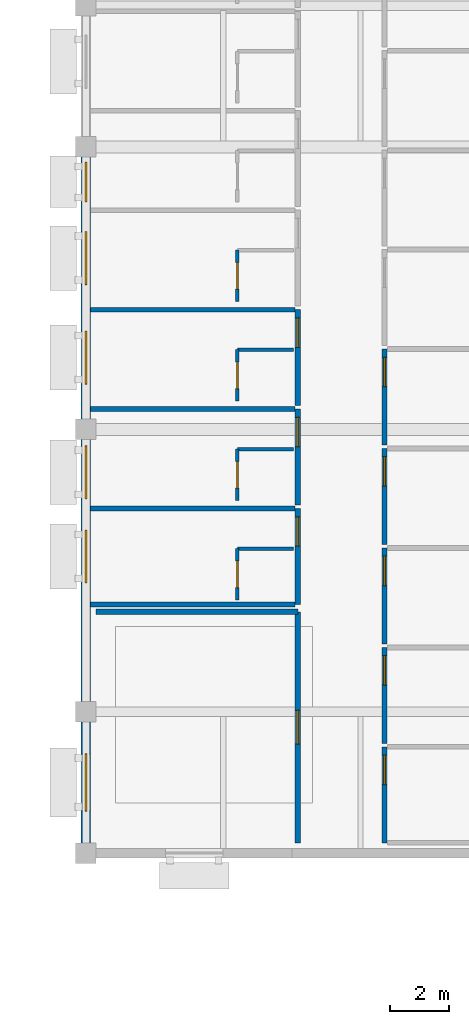
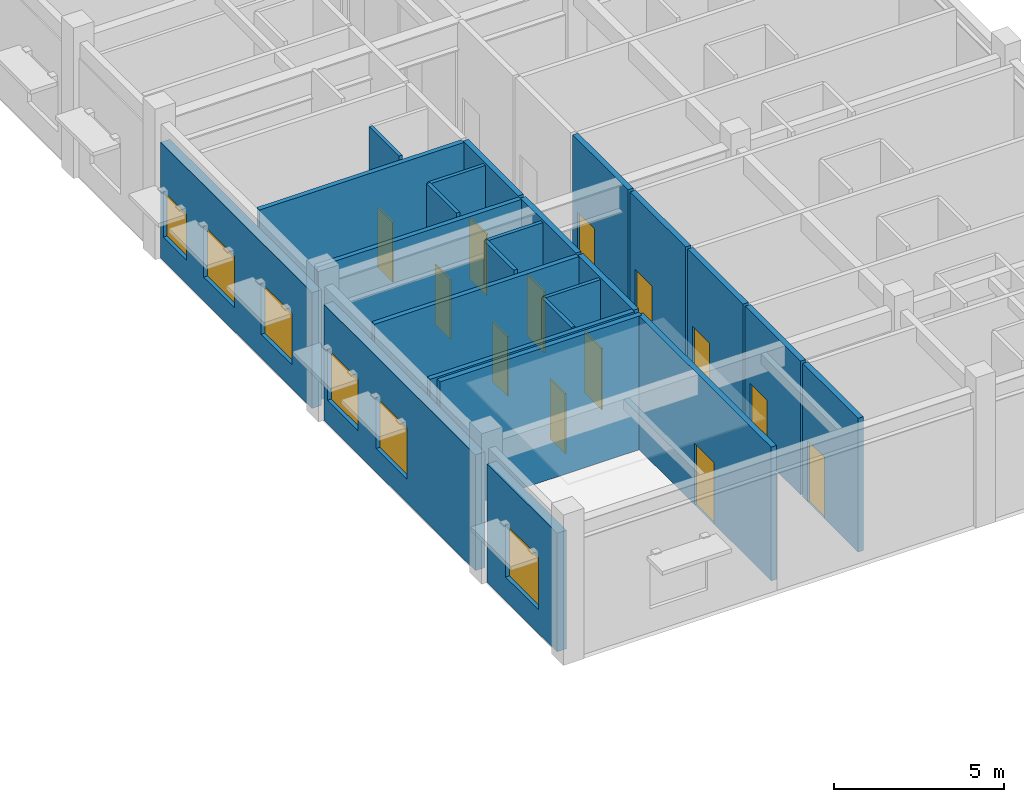
# One storey, part 47 of 68: 24 walls, 13 doors, 6 windows, 19 openings.
"""IFC4 building model written with IfcOpenShell, lengths in metres."""

from ifc_helpers import new_model, si_unit, direction, frame, frame_2d, origin, place, context, subcontext, project, spatial, rectangle, extrude, material, layer, layer_set, type_object, element, fill, save


model = new_model("IFC4")

# Units and contexts
model_context = context("Model", 3, precision=1e-05, world=origin(), true_north=direction((0.0, 1.0)))
body_context = subcontext(model_context, "Body", "Model", "MODEL_VIEW")
ifc_project = project(units=[si_unit("LENGTHUNIT", "METRE"), si_unit("AREAUNIT", "SQUARE_METRE"), si_unit("VOLUMEUNIT", "CUBIC_METRE"), si_unit("PLANEANGLEUNIT", "RADIAN"), si_unit("MASSUNIT", "GRAM", prefix="KILO")], contexts=[model_context])

# Site, building, storey
site_placement = place(None, origin())
site = spatial("IfcSite", under=ifc_project, at=site_placement, CompositionType="ELEMENT")
building_placement = place(site_placement, origin())
building = spatial("IfcBuilding", under=site, at=building_placement, Name="Veldera Park Congress Hotel", CompositionType="ELEMENT")
storey_placement = place(building_placement, frame((0.0, 0.0, 10.800048828125)))
storey = spatial("IfcBuildingStorey", under=building, at=storey_placement, Name="L02", CompositionType="ELEMENT", Elevation=10.800048828125)

# Wall, openings, windows
ifc_material_1 = material(Name="Cross-laminated timber CLT V2M1.1", Category="wood")
ifc_layer_1 = layer(ifc_material_1, 0.320068359375)
ifc_layer_set_1 = layer_set([ifc_layer_1], Name="Cross-laminated timber CLT V2M1.1")
wall_type_1 = type_object("IfcWallType", Name="EW-CLT320", PredefinedType="STANDARD", material=ifc_layer_set_1)
wall_1_placement = place(storey_placement, frame((60.800048828125, -28.548095703125, 0.0), z_axis=(0.0, 0.0, 1.0), x_axis=(0.0, -1.0, 0.0)))
wall_1 = element("IfcWall", 1, at=wall_1_placement, inside=storey, type_object=wall_type_1, Name="L02 Exterior Wall EW3-L02-0205", PredefinedType="STANDARD", context=body_context, shape_type="SweptSolid", body=[
    extrude(rectangle(XDim=8.90380859375, YDim=0.320068359375, at=frame_2d((4.451904296875, 0.0))), origin(), (0.0, 0.0, 1.0), 4.155029296875),
])
opening_1_placement = place(wall_1_placement, frame((5.912109375, 0.0, 0.85009765625)))
opening_1 = element("IfcOpeningElement", 2, at=opening_1_placement, cuts=wall_1, Name="Opening WIN-1800", PredefinedType="OPENING", context=body_context, shape_type="SweptSolid", body=[
    extrude(rectangle(XDim=1.800048828125, YDim=1.85009765625, at=frame_2d((0.89990234375, 0.925048828125))), frame((0.0, 0.172119140625, 0.0), z_axis=(0.0, -1.0, 0.0), x_axis=(1.0, 0.0, 0.0)), (0.0, 0.0, 1.0), 0.343994140625),
])
opening_2_placement = place(wall_1_placement, frame((2.531982421875, 0.0, 0.85009765625)))
opening_2 = element("IfcOpeningElement", 3, at=opening_2_placement, cuts=wall_1, Name="Opening WIN-1800", PredefinedType="OPENING", context=body_context, shape_type="SweptSolid", body=[
    extrude(rectangle(XDim=1.800048828125, YDim=1.85009765625, at=frame_2d((0.89990234375, 0.925048828125))), frame((0.0, 0.172119140625, 0.0), z_axis=(0.0, -1.0, 0.0), x_axis=(1.0, 0.0, 0.0)), (0.0, 0.0, 1.0), 0.343994140625),
])
opening_3_placement = place(wall_1_placement, frame((0.166015625, 0.0, 0.85009765625)))
opening_3 = element("IfcOpeningElement", 4, at=opening_3_placement, cuts=wall_1, Name="Opening WIN-1350", PredefinedType="OPENING", context=body_context, shape_type="SweptSolid", body=[
    extrude(rectangle(XDim=1.35009765625, YDim=1.64990234375, at=frame_2d((0.675048828125, 0.824951171875))), frame((0.0, 0.172119140625, 0.0), z_axis=(0.0, -1.0, 0.0), x_axis=(1.0, 0.0, 0.0)), (0.0, 0.0, 1.0), 0.343994140625),
])
ifc_material_2 = material(Name="Low-E Triple Insulating Glass Unit (SHGC 0.22)", Category="glass")
window_type_1 = type_object("IfcWindowType", Name="WIN-1350", PartitioningType="SINGLE_PANEL", PredefinedType="WINDOW", material=ifc_material_2)
window_1_placement = place(opening_3_placement, origin())
window_1 = element("IfcWindow", 5, at=window_1_placement, inside=storey, type_object=window_type_1, Name="L02 Window WIN-1350 361", OverallHeight=1.64990234375, OverallWidth=1.35009765625, PartitioningType="SINGLE_PANEL", PredefinedType="WINDOW", context=body_context, shape_type="SweptSolid", body=[
    extrude(rectangle(XDim=1.35009765625, YDim=1.64990234375, at=frame_2d((0.675048828125, 0.824951171875))), frame((0.0, 0.030029296875, 0.0), z_axis=(0.0, -1.0, 0.0), x_axis=(1.0, 0.0, 0.0)), (0.0, 0.0, 1.0), 0.06005859375),
])
fill(opening_3, window_1)
window_type_2 = type_object("IfcWindowType", Name="WIN-1800", PartitioningType="SINGLE_PANEL", PredefinedType="WINDOW", material=ifc_material_2)
window_2_placement = place(opening_1_placement, origin())
window_2 = element("IfcWindow", 6, at=window_2_placement, inside=storey, type_object=window_type_2, Name="L02 Window WIN-1800 359", OverallHeight=1.85009765625, OverallWidth=1.800048828125, PartitioningType="SINGLE_PANEL", PredefinedType="WINDOW", context=body_context, shape_type="SweptSolid", body=[
    extrude(rectangle(XDim=1.800048828125, YDim=1.85009765625, at=frame_2d((0.89990234375, 0.925048828125))), frame((0.0, 0.030029296875, 0.0), z_axis=(0.0, -1.0, 0.0), x_axis=(1.0, 0.0, 0.0)), (0.0, 0.0, 1.0), 0.06005859375),
])
fill(opening_1, window_2)
window_3_placement = place(opening_2_placement, origin())
window_3 = element("IfcWindow", 7, at=window_3_placement, inside=storey, type_object=window_type_2, Name="L02 Window WIN-1800 360", OverallHeight=1.85009765625, OverallWidth=1.800048828125, PartitioningType="SINGLE_PANEL", PredefinedType="WINDOW", context=body_context, shape_type="SweptSolid", body=[
    extrude(rectangle(XDim=1.800048828125, YDim=1.85009765625, at=frame_2d((0.89990234375, 0.925048828125))), frame((0.0, 0.030029296875, 0.0), z_axis=(0.0, -1.0, 0.0), x_axis=(1.0, 0.0, 0.0)), (0.0, 0.0, 1.0), 0.06005859375),
])
fill(opening_2, window_3)

wall_2_placement = place(storey_placement, frame((60.800048828125, -38.14794921875, 0.0), z_axis=(0.0, 0.0, 1.0), x_axis=(0.0, -1.0, 0.0)))
wall_2 = element("IfcWall", 8, at=wall_2_placement, inside=storey, type_object=wall_type_1, Name="L02 Exterior Wall EW3-L02-0206", PredefinedType="STANDARD", context=body_context, shape_type="SweptSolid", body=[
    extrude(rectangle(XDim=8.904052734375, YDim=0.320068359375, at=frame_2d((4.4521484375, 0.0))), origin(), (0.0, 0.0, 1.0), 4.155029296875),
])
opening_4_placement = place(wall_2_placement, frame((3.072021484375, 0.0, 0.85009765625)))
opening_4 = element("IfcOpeningElement", 9, at=opening_4_placement, cuts=wall_2, Name="Opening WIN-1800", PredefinedType="OPENING", context=body_context, shape_type="SweptSolid", body=[
    extrude(rectangle(XDim=1.800048828125, YDim=1.85009765625, at=frame_2d((0.89990234375, 0.925048828125))), frame((0.0, 0.172119140625, 0.0), z_axis=(0.0, -1.0, 0.0), x_axis=(1.0, 0.0, 0.0)), (0.0, 0.0, 1.0), 0.343994140625),
])
opening_5_placement = place(wall_2_placement, frame((0.2109375, 0.0, 0.85009765625)))
opening_5 = element("IfcOpeningElement", 10, at=opening_5_placement, cuts=wall_2, Name="Opening WIN-1800", PredefinedType="OPENING", context=body_context, shape_type="SweptSolid", body=[
    extrude(rectangle(XDim=1.800048828125, YDim=1.85009765625, at=frame_2d((0.89990234375, 0.925048828125))), frame((0.0, 0.172119140625, 0.0), z_axis=(0.0, -1.0, 0.0), x_axis=(1.0, 0.0, 0.0)), (0.0, 0.0, 1.0), 0.343994140625),
])
window_4_placement = place(opening_4_placement, origin())
window_4 = element("IfcWindow", 11, at=window_4_placement, inside=storey, type_object=window_type_2, Name="L02 Window WIN-1800 357", OverallHeight=1.85009765625, OverallWidth=1.800048828125, PartitioningType="SINGLE_PANEL", PredefinedType="WINDOW", context=body_context, shape_type="SweptSolid", body=[
    extrude(rectangle(XDim=1.800048828125, YDim=1.85009765625, at=frame_2d((0.89990234375, 0.925048828125))), frame((0.0, 0.030029296875, 0.0), z_axis=(0.0, -1.0, 0.0), x_axis=(1.0, 0.0, 0.0)), (0.0, 0.0, 1.0), 0.06005859375),
])
fill(opening_4, window_4)
window_5_placement = place(opening_5_placement, origin())
window_5 = element("IfcWindow", 12, at=window_5_placement, inside=storey, type_object=window_type_2, Name="L02 Window WIN-1800 358", OverallHeight=1.85009765625, OverallWidth=1.800048828125, PartitioningType="SINGLE_PANEL", PredefinedType="WINDOW", context=body_context, shape_type="SweptSolid", body=[
    extrude(rectangle(XDim=1.800048828125, YDim=1.85009765625, at=frame_2d((0.89990234375, 0.925048828125))), frame((0.0, 0.030029296875, 0.0), z_axis=(0.0, -1.0, 0.0), x_axis=(1.0, 0.0, 0.0)), (0.0, 0.0, 1.0), 0.06005859375),
])
fill(opening_5, window_5)

# Wall, opening, window
wall_3_placement = place(storey_placement, frame((60.800048828125, -47.748046875, 0.0), z_axis=(0.0, 0.0, 1.0), x_axis=(0.0, -1.0, 0.0)))
wall_3 = element("IfcWall", 13, at=wall_3_placement, inside=storey, type_object=wall_type_1, Name="L02 Exterior Wall EW3-L02-0207", PredefinedType="STANDARD", context=body_context, shape_type="SweptSolid", body=[
    extrude(rectangle(XDim=4.10400390625, YDim=0.320068359375, at=frame_2d((2.052001953125, 0.0))), origin(), (0.0, 0.0, 1.0), 4.2548828125),
])
opening_6_placement = place(wall_3_placement, frame((1.076904296875, 0.0, 0.85009765625)))
opening_6 = element("IfcOpeningElement", 14, at=opening_6_placement, cuts=wall_3, Name="Opening WIN-1950", PredefinedType="OPENING", context=body_context, shape_type="SweptSolid", body=[
    extrude(rectangle(XDim=1.949951171875, YDim=1.89990234375, at=frame_2d((0.97509765625, 0.949951171875))), frame((0.0, 0.172119140625, 0.0), z_axis=(0.0, -1.0, 0.0), x_axis=(1.0, 0.0, 0.0)), (0.0, 0.0, 1.0), 0.343994140625),
])
window_type_3 = type_object("IfcWindowType", Name="WIN-1950", PartitioningType="DOUBLE_PANEL_VERTICAL", PredefinedType="WINDOW", material=ifc_material_2)
window_6_placement = place(opening_6_placement, origin())
window_6 = element("IfcWindow", 15, at=window_6_placement, inside=storey, type_object=window_type_3, Name="L02 Window WIN-1950 186", OverallHeight=1.89990234375, OverallWidth=1.949951171875, PartitioningType="DOUBLE_PANEL_VERTICAL", PredefinedType="WINDOW", context=body_context, shape_type="SweptSolid", body=[
    extrude(rectangle(XDim=1.949951171875, YDim=1.89990234375, at=frame_2d((0.97509765625, 0.949951171875))), frame((0.0, 0.030029296875, 0.0), z_axis=(0.0, -1.0, 0.0), x_axis=(1.0, 0.0, 0.0)), (0.0, 0.0, 1.0), 0.06005859375),
])
fill(opening_6, window_6)

# Wall, opening, door
ifc_material_3 = material(Name="Fire-Rated Gypsum Board on Cold-Formed Steel Studs", Category="steel")
ifc_layer_2 = layer(ifc_material_3, 0.1201171875)
ifc_layer_set_2 = layer_set([ifc_layer_2], Name="Fire-Rated Gypsum Board on Cold-Formed Steel Studs")
wall_type_2 = type_object("IfcWallType", Name="IW-BATH120", PredefinedType="PARTITIONING", material=ifc_layer_set_2)
wall_4_placement = place(storey_placement, frame((65.949951171875, -43.60009765625, 0.0), z_axis=(0.0, 0.0, 1.0), x_axis=(0.0, 1.0, 0.0)))
wall_4 = element("IfcWall", 16, at=wall_4_placement, inside=storey, type_object=wall_type_2, Name="L02 Partition Wall IW3-L02-00366", PredefinedType="PARTITIONING", context=body_context, shape_type="SweptSolid", body=[
    extrude(rectangle(XDim=1.75, YDim=0.1201171875, at=frame_2d((0.875, 0.0))), origin(), (0.0, 0.0, 1.0), 4.800048828125),
])
opening_7_placement = place(wall_4_placement, frame((0.425048828125, 0.0, 0.0)))
opening_7 = element("IfcOpeningElement", 17, at=opening_7_placement, cuts=wall_4, Name="Opening ID-BATH090", PredefinedType="OPENING", context=body_context, shape_type="SweptSolid", body=[
    extrude(rectangle(XDim=0.89990234375, YDim=2.14990234375, at=frame_2d((0.449951171875, 1.074951171875))), frame((0.0, 0.072021484375, 0.0), z_axis=(0.0, -1.0, 0.0), x_axis=(1.0, 0.0, 0.0)), (0.0, 0.0, 1.0), 0.14404296875),
])
ifc_material_4 = material(Name="Solid Core White Oak Architectural Door", Category="wood")
door_type_1 = type_object("IfcDoorType", Name="ID-BATH090", OperationType="NOTDEFINED", PredefinedType="DOOR", material=ifc_material_4)
door_1_placement = place(opening_7_placement, origin())
door_1 = element("IfcDoor", 18, at=door_1_placement, inside=storey, type_object=door_type_1, Name="L02 En-suite 001 Door ID3-L02-0141 (DR3-ID3-L02-0141)", OperationType="SINGLE_SWING_LEFT", OverallHeight=2.14990234375, OverallWidth=0.89990234375, PredefinedType="DOOR", context=body_context, shape_type="SweptSolid", body=[
    extrude(rectangle(XDim=0.89990234375, YDim=2.14990234375, at=frame_2d((0.449951171875, 1.074951171875))), frame((0.0, 0.02490234375, 0.0), z_axis=(0.0, -1.0, 0.0), x_axis=(1.0, 0.0, 0.0)), (0.0, 0.0, 1.0), 0.050048828125),
])
fill(opening_7, door_1)

# Wall
wall_5_placement = place(storey_placement, frame((65.949951171875, -41.85009765625, 0.0), z_axis=(0.0, 0.0, 1.0), x_axis=(1.0, 0.0, 0.0)))
element("IfcWall", 19, at=wall_5_placement, inside=storey, type_object=wall_type_2, Name="L02 Partition Wall IW3-L02-00367", PredefinedType="PARTITIONING", context=body_context, shape_type="SweptSolid", body=[
    extrude(rectangle(XDim=1.900146484375, YDim=0.1201171875, at=frame_2d((0.9501953125, 0.0))), origin(), (0.0, 0.0, 1.0), 4.800048828125),
])

# Wall, opening, door
wall_6_placement = place(storey_placement, frame((65.949951171875, -40.219970703125, 0.0), z_axis=(0.0, 0.0, 1.0), x_axis=(0.0, 1.0, 0.0)))
wall_6 = element("IfcWall", 20, at=wall_6_placement, inside=storey, type_object=wall_type_2, Name="L02 Partition Wall IW3-L02-00370", PredefinedType="PARTITIONING", context=body_context, shape_type="SweptSolid", body=[
    extrude(rectangle(XDim=1.75, YDim=0.1201171875, at=frame_2d((0.875, 0.0))), origin(), (0.0, 0.0, 1.0), 4.800048828125),
])
opening_8_placement = place(wall_6_placement, frame((0.425048828125, 0.0, 0.0)))
opening_8 = element("IfcOpeningElement", 21, at=opening_8_placement, cuts=wall_6, Name="Opening ID-BATH090", PredefinedType="OPENING", context=body_context, shape_type="SweptSolid", body=[
    extrude(rectangle(XDim=0.89990234375, YDim=2.14990234375, at=frame_2d((0.449951171875, 1.074951171875))), frame((0.0, 0.072021484375, 0.0), z_axis=(0.0, -1.0, 0.0), x_axis=(1.0, 0.0, 0.0)), (0.0, 0.0, 1.0), 0.14404296875),
])
door_2_placement = place(opening_8_placement, origin())
door_2 = element("IfcDoor", 22, at=door_2_placement, inside=storey, type_object=door_type_1, Name="L02 En-suite 002 Door ID3-L02-0143 (DR3-ID3-L02-0143)", OperationType="SINGLE_SWING_LEFT", OverallHeight=2.14990234375, OverallWidth=0.89990234375, PredefinedType="DOOR", context=body_context, shape_type="SweptSolid", body=[
    extrude(rectangle(XDim=0.89990234375, YDim=2.14990234375, at=frame_2d((0.449951171875, 1.074951171875))), frame((0.0, 0.02490234375, 0.0), z_axis=(0.0, -1.0, 0.0), x_axis=(1.0, 0.0, 0.0)), (0.0, 0.0, 1.0), 0.050048828125),
])
fill(opening_8, door_2)

# Wall
wall_7_placement = place(storey_placement, frame((65.949951171875, -38.469970703125, 0.0), z_axis=(0.0, 0.0, 1.0), x_axis=(1.0, 0.0, 0.0)))
element("IfcWall", 23, at=wall_7_placement, inside=storey, type_object=wall_type_2, Name="L02 Partition Wall IW3-L02-00371", PredefinedType="PARTITIONING", context=body_context, shape_type="SweptSolid", body=[
    extrude(rectangle(XDim=1.900146484375, YDim=0.1201171875, at=frame_2d((0.9501953125, 0.0))), origin(), (0.0, 0.0, 1.0), 4.800048828125),
])

# Wall, opening, door
wall_8_placement = place(storey_placement, frame((65.949951171875, -36.840087890625, 0.0), z_axis=(0.0, 0.0, 1.0), x_axis=(0.0, 1.0, 0.0)))
wall_8 = element("IfcWall", 24, at=wall_8_placement, inside=storey, type_object=wall_type_2, Name="L02 Partition Wall IW3-L02-00374", PredefinedType="PARTITIONING", context=body_context, shape_type="SweptSolid", body=[
    extrude(rectangle(XDim=1.75, YDim=0.1201171875, at=frame_2d((0.875, 0.0))), origin(), (0.0, 0.0, 1.0), 4.800048828125),
])
opening_9_placement = place(wall_8_placement, frame((0.425048828125, 0.0, 0.0)))
opening_9 = element("IfcOpeningElement", 25, at=opening_9_placement, cuts=wall_8, Name="Opening ID-BATH090", PredefinedType="OPENING", context=body_context, shape_type="SweptSolid", body=[
    extrude(rectangle(XDim=0.89990234375, YDim=2.14990234375, at=frame_2d((0.449951171875, 1.074951171875))), frame((0.0, 0.072021484375, 0.0), z_axis=(0.0, -1.0, 0.0), x_axis=(1.0, 0.0, 0.0)), (0.0, 0.0, 1.0), 0.14404296875),
])
door_3_placement = place(opening_9_placement, origin())
door_3 = element("IfcDoor", 26, at=door_3_placement, inside=storey, type_object=door_type_1, Name="L02 En-suite 003 Door ID3-L02-0145 (DR3-ID3-L02-0145)", OperationType="SINGLE_SWING_LEFT", OverallHeight=2.14990234375, OverallWidth=0.89990234375, PredefinedType="DOOR", context=body_context, shape_type="SweptSolid", body=[
    extrude(rectangle(XDim=0.89990234375, YDim=2.14990234375, at=frame_2d((0.449951171875, 1.074951171875))), frame((0.0, 0.02490234375, 0.0), z_axis=(0.0, -1.0, 0.0), x_axis=(1.0, 0.0, 0.0)), (0.0, 0.0, 1.0), 0.050048828125),
])
fill(opening_9, door_3)

# Wall
wall_9_placement = place(storey_placement, frame((65.949951171875, -35.090087890625, 0.0), z_axis=(0.0, 0.0, 1.0), x_axis=(1.0, 0.0, 0.0)))
element("IfcWall", 27, at=wall_9_placement, inside=storey, type_object=wall_type_2, Name="L02 Partition Wall IW3-L02-00375", PredefinedType="PARTITIONING", context=body_context, shape_type="SweptSolid", body=[
    extrude(rectangle(XDim=1.900146484375, YDim=0.1201171875, at=frame_2d((0.9501953125, 0.0))), origin(), (0.0, 0.0, 1.0), 4.800048828125),
])

# Wall, opening, door
wall_10_placement = place(storey_placement, frame((65.949951171875, -33.4599609375, 0.0), z_axis=(0.0, 0.0, 1.0), x_axis=(0.0, 1.0, 0.0)))
wall_10 = element("IfcWall", 28, at=wall_10_placement, inside=storey, type_object=wall_type_2, Name="L02 Partition Wall IW3-L02-00378", PredefinedType="PARTITIONING", context=body_context, shape_type="SweptSolid", body=[
    extrude(rectangle(XDim=1.75, YDim=0.1201171875, at=frame_2d((0.875, 0.0))), origin(), (0.0, 0.0, 1.0), 4.800048828125),
])
opening_10_placement = place(wall_10_placement, frame((0.425048828125, 0.0, 0.0)))
opening_10 = element("IfcOpeningElement", 29, at=opening_10_placement, cuts=wall_10, Name="Opening ID-BATH090", PredefinedType="OPENING", context=body_context, shape_type="SweptSolid", body=[
    extrude(rectangle(XDim=0.89990234375, YDim=2.14990234375, at=frame_2d((0.449951171875, 1.074951171875))), frame((0.0, 0.072021484375, 0.0), z_axis=(0.0, -1.0, 0.0), x_axis=(1.0, 0.0, 0.0)), (0.0, 0.0, 1.0), 0.14404296875),
])
door_4_placement = place(opening_10_placement, origin())
door_4 = element("IfcDoor", 30, at=door_4_placement, inside=storey, type_object=door_type_1, Name="L02 En-suite 004 Door ID3-L02-0147 (DR3-ID3-L02-0147)", OperationType="SINGLE_SWING_LEFT", OverallHeight=2.14990234375, OverallWidth=0.89990234375, PredefinedType="DOOR", context=body_context, shape_type="SweptSolid", body=[
    extrude(rectangle(XDim=0.89990234375, YDim=2.14990234375, at=frame_2d((0.449951171875, 1.074951171875))), frame((0.0, 0.02490234375, 0.0), z_axis=(0.0, -1.0, 0.0), x_axis=(1.0, 0.0, 0.0)), (0.0, 0.0, 1.0), 0.050048828125),
])
fill(opening_10, door_4)

ifc_layer_3 = layer(ifc_material_3, 0.179931640625)
ifc_layer_set_3 = layer_set([ifc_layer_3], Name="Fire-Rated Gypsum Board on Cold-Formed Steel Studs")
wall_type_3 = type_object("IfcWallType", Name="IW-CORR180", PredefinedType="PARTITIONING", material=ifc_layer_set_3)
wall_11_placement = place(storey_placement, frame((68.0, -51.85009765625, 0.0), z_axis=(0.0, 0.0, 1.0), x_axis=(0.0, 1.0, 0.0)))
wall_11 = element("IfcWall", 31, at=wall_11_placement, inside=storey, type_object=wall_type_3, Name="L02 Partition Wall IW3-L02-00211", PredefinedType="PARTITIONING", context=body_context, shape_type="SweptSolid", body=[
    extrude(rectangle(XDim=7.85009765625, YDim=0.179931640625, at=frame_2d((3.925048828125, 0.0))), origin(), (0.0, 0.0, 1.0), 4.800048828125),
])
opening_11_placement = place(wall_11_placement, frame((3.35009765625, 0.0, 0.0)))
opening_11 = element("IfcOpeningElement", 32, at=opening_11_placement, cuts=wall_11, Name="Opening ID-MEET115", PredefinedType="OPENING", context=body_context, shape_type="SweptSolid", body=[
    extrude(rectangle(XDim=1.14990234375, YDim=2.199951171875, at=frame_2d((0.574951171875, 1.10009765625))), frame((0.0, 0.10205078125, 0.0), z_axis=(0.0, -1.0, 0.0), x_axis=(1.0, 0.0, 0.0)), (0.0, 0.0, 1.0), 0.203857421875),
])
door_type_2 = type_object("IfcDoorType", Name="ID-MEET115", OperationType="NOTDEFINED", PredefinedType="DOOR", material=ifc_material_4)
door_5_placement = place(opening_11_placement, origin())
door_5 = element("IfcDoor", 33, at=door_5_placement, inside=storey, type_object=door_type_2, Name="L02 Garden Bridge Arrival Lounge Door ID3-L02-0074 (DR3-ID3-L02-0074)", OperationType="SINGLE_SWING_RIGHT", OverallHeight=2.199951171875, OverallWidth=1.14990234375, PredefinedType="DOOR", context=body_context, shape_type="SweptSolid", body=[
    extrude(rectangle(XDim=1.14990234375, YDim=2.199951171875, at=frame_2d((0.574951171875, 1.10009765625))), frame((0.0, 0.02490234375, 0.0), z_axis=(0.0, -1.0, 0.0), x_axis=(1.0, 0.0, 0.0)), (0.0, 0.0, 1.0), 0.050048828125),
])
fill(opening_11, door_5)

# Wall
wall_12_placement = place(storey_placement, frame((68.0, -44.0, 0.0), z_axis=(0.0, 0.0, 1.0), x_axis=(-1.0, 0.0, 0.0)))
element("IfcWall", 34, at=wall_12_placement, inside=storey, type_object=wall_type_3, Name="L02 Partition Wall IW3-L02-00212", PredefinedType="PARTITIONING", context=body_context, shape_type="SweptSolid", body=[
    extrude(rectangle(XDim=6.85009765625, YDim=0.179931640625, at=frame_2d((3.425048828125, 0.0))), origin(), (0.0, 0.0, 1.0), 4.800048828125),
])

# Wall, opening, door
wall_13_placement = place(storey_placement, frame((68.0, -43.75, 0.0), z_axis=(0.0, 0.0, 1.0), x_axis=(0.0, 1.0, 0.0)))
wall_13 = element("IfcWall", 35, at=wall_13_placement, inside=storey, type_object=wall_type_3, Name="L02 Corridor Wall IW3-L02-00363", PredefinedType="PARTITIONING", context=body_context, shape_type="SweptSolid", body=[
    extrude(rectangle(XDim=3.260009765625, YDim=0.179931640625, at=frame_2d((1.6298828125, 0.0))), origin(), (0.0, 0.0, 1.0), 4.800048828125),
])
opening_12_placement = place(wall_13_placement, frame((1.97998046875, 0.0, 0.0)))
opening_12 = element("IfcOpeningElement", 36, at=opening_12_placement, cuts=wall_13, Name="Opening ID-UNIT100", PredefinedType="OPENING", context=body_context, shape_type="SweptSolid", body=[
    extrude(rectangle(XDim=1.0, YDim=2.199951171875, at=frame_2d((0.5, 1.10009765625))), frame((0.0, 0.10205078125, 0.0), z_axis=(0.0, -1.0, 0.0), x_axis=(1.0, 0.0, 0.0)), (0.0, 0.0, 1.0), 0.203857421875),
])
door_type_3 = type_object("IfcDoorType", Name="ID-UNIT100", OperationType="NOTDEFINED", PredefinedType="DOOR", material=ifc_material_4)
door_6_placement = place(opening_12_placement, origin())
door_6 = element("IfcDoor", 37, at=door_6_placement, inside=storey, type_object=door_type_3, Name="L02 Guestroom 001 Entry Door (DR3-UD3-L02-001)", OperationType="SINGLE_SWING_RIGHT", OverallHeight=2.199951171875, OverallWidth=1.0, PredefinedType="DOOR", context=body_context, shape_type="SweptSolid", body=[
    extrude(rectangle(XDim=1.0, YDim=2.199951171875, at=frame_2d((0.5, 1.10009765625))), frame((0.0, 0.02490234375, 0.0), z_axis=(0.0, -1.0, 0.0), x_axis=(1.0, 0.0, 0.0)), (0.0, 0.0, 1.0), 0.050048828125),
])
fill(opening_12, door_6)

wall_14_placement = place(storey_placement, frame((68.0, -40.3701171875, 0.0), z_axis=(0.0, 0.0, 1.0), x_axis=(0.0, 1.0, 0.0)))
wall_14 = element("IfcWall", 38, at=wall_14_placement, inside=storey, type_object=wall_type_3, Name="L02 Corridor Wall IW3-L02-00368", PredefinedType="PARTITIONING", context=body_context, shape_type="SweptSolid", body=[
    extrude(rectangle(XDim=3.260009765625, YDim=0.179931640625, at=frame_2d((1.6298828125, 0.0))), origin(), (0.0, 0.0, 1.0), 4.800048828125),
])
opening_13_placement = place(wall_14_placement, frame((1.97998046875, 0.0, 0.0)))
opening_13 = element("IfcOpeningElement", 39, at=opening_13_placement, cuts=wall_14, Name="Opening ID-UNIT100", PredefinedType="OPENING", context=body_context, shape_type="SweptSolid", body=[
    extrude(rectangle(XDim=1.0, YDim=2.199951171875, at=frame_2d((0.5, 1.10009765625))), frame((0.0, 0.10205078125, 0.0), z_axis=(0.0, -1.0, 0.0), x_axis=(1.0, 0.0, 0.0)), (0.0, 0.0, 1.0), 0.203857421875),
])
door_7_placement = place(opening_13_placement, origin())
door_7 = element("IfcDoor", 40, at=door_7_placement, inside=storey, type_object=door_type_3, Name="L02 Guestroom 002 Entry Door (DR3-UD3-L02-002)", OperationType="SINGLE_SWING_RIGHT", OverallHeight=2.199951171875, OverallWidth=1.0, PredefinedType="DOOR", context=body_context, shape_type="SweptSolid", body=[
    extrude(rectangle(XDim=1.0, YDim=2.199951171875, at=frame_2d((0.5, 1.10009765625))), frame((0.0, 0.02490234375, 0.0), z_axis=(0.0, -1.0, 0.0), x_axis=(1.0, 0.0, 0.0)), (0.0, 0.0, 1.0), 0.050048828125),
])
fill(opening_13, door_7)

wall_15_placement = place(storey_placement, frame((68.0, -36.989990234375, 0.0), z_axis=(0.0, 0.0, 1.0), x_axis=(0.0, 1.0, 0.0)))
wall_15 = element("IfcWall", 41, at=wall_15_placement, inside=storey, type_object=wall_type_3, Name="L02 Corridor Wall IW3-L02-00372", PredefinedType="PARTITIONING", context=body_context, shape_type="SweptSolid", body=[
    extrude(rectangle(XDim=3.260009765625, YDim=0.179931640625, at=frame_2d((1.6298828125, 0.0))), origin(), (0.0, 0.0, 1.0), 4.800048828125),
])
opening_14_placement = place(wall_15_placement, frame((1.97998046875, 0.0, 0.0)))
opening_14 = element("IfcOpeningElement", 42, at=opening_14_placement, cuts=wall_15, Name="Opening ID-UNIT100", PredefinedType="OPENING", context=body_context, shape_type="SweptSolid", body=[
    extrude(rectangle(XDim=1.0, YDim=2.199951171875, at=frame_2d((0.5, 1.10009765625))), frame((0.0, 0.10205078125, 0.0), z_axis=(0.0, -1.0, 0.0), x_axis=(1.0, 0.0, 0.0)), (0.0, 0.0, 1.0), 0.203857421875),
])
door_8_placement = place(opening_14_placement, origin())
door_8 = element("IfcDoor", 43, at=door_8_placement, inside=storey, type_object=door_type_3, Name="L02 Guestroom 003 Entry Door (DR3-UD3-L02-003)", OperationType="SINGLE_SWING_RIGHT", OverallHeight=2.199951171875, OverallWidth=1.0, PredefinedType="DOOR", context=body_context, shape_type="SweptSolid", body=[
    extrude(rectangle(XDim=1.0, YDim=2.199951171875, at=frame_2d((0.5, 1.10009765625))), frame((0.0, 0.02490234375, 0.0), z_axis=(0.0, -1.0, 0.0), x_axis=(1.0, 0.0, 0.0)), (0.0, 0.0, 1.0), 0.050048828125),
])
fill(opening_14, door_8)

wall_16_placement = place(storey_placement, frame((70.949951171875, -48.590087890625, 0.0), z_axis=(0.0, 0.0, 1.0), x_axis=(0.0, -1.0, 0.0)))
wall_16 = element("IfcWall", 44, at=wall_16_placement, inside=storey, type_object=wall_type_3, Name="L02 Corridor Wall IW3-L02-00448", PredefinedType="PARTITIONING", context=body_context, shape_type="SweptSolid", body=[
    extrude(rectangle(XDim=3.260009765625, YDim=0.179931640625, at=frame_2d((1.6298828125, 0.0))), origin(), (0.0, 0.0, 1.0), 4.800048828125),
])
opening_15_placement = place(wall_16_placement, frame((0.280029296875, 0.0, 0.0)))
opening_15 = element("IfcOpeningElement", 45, at=opening_15_placement, cuts=wall_16, Name="Opening ID-UNIT100", PredefinedType="OPENING", context=body_context, shape_type="SweptSolid", body=[
    extrude(rectangle(XDim=1.0, YDim=2.199951171875, at=frame_2d((0.5, 1.10009765625))), frame((0.0, 0.10205078125, 0.0), z_axis=(0.0, -1.0, 0.0), x_axis=(1.0, 0.0, 0.0)), (0.0, 0.0, 1.0), 0.203857421875),
])
door_9_placement = place(opening_15_placement, origin())
door_9 = element("IfcDoor", 46, at=door_9_placement, inside=storey, type_object=door_type_3, Name="L02 Guestroom 022 Entry Door (DR3-UD3-L02-022)", OperationType="SINGLE_SWING_RIGHT", OverallHeight=2.199951171875, OverallWidth=1.0, PredefinedType="DOOR", context=body_context, shape_type="SweptSolid", body=[
    extrude(rectangle(XDim=1.0, YDim=2.199951171875, at=frame_2d((0.5, 1.10009765625))), frame((0.0, 0.02490234375, 0.0), z_axis=(0.0, -1.0, 0.0), x_axis=(1.0, 0.0, 0.0)), (0.0, 0.0, 1.0), 0.050048828125),
])
fill(opening_15, door_9)

wall_17_placement = place(storey_placement, frame((70.949951171875, -45.2099609375, 0.0), z_axis=(0.0, 0.0, 1.0), x_axis=(0.0, -1.0, 0.0)))
wall_17 = element("IfcWall", 47, at=wall_17_placement, inside=storey, type_object=wall_type_3, Name="L02 Corridor Wall IW3-L02-00454", PredefinedType="PARTITIONING", context=body_context, shape_type="SweptSolid", body=[
    extrude(rectangle(XDim=3.260009765625, YDim=0.179931640625, at=frame_2d((1.6298828125, 0.0))), origin(), (0.0, 0.0, 1.0), 4.800048828125),
])
opening_16_placement = place(wall_17_placement, frame((0.280029296875, 0.0, 0.0)))
opening_16 = element("IfcOpeningElement", 48, at=opening_16_placement, cuts=wall_17, Name="Opening ID-UNIT100", PredefinedType="OPENING", context=body_context, shape_type="SweptSolid", body=[
    extrude(rectangle(XDim=1.0, YDim=2.199951171875, at=frame_2d((0.5, 1.10009765625))), frame((0.0, 0.10205078125, 0.0), z_axis=(0.0, -1.0, 0.0), x_axis=(1.0, 0.0, 0.0)), (0.0, 0.0, 1.0), 0.203857421875),
])
door_10_placement = place(opening_16_placement, origin())
door_10 = element("IfcDoor", 49, at=door_10_placement, inside=storey, type_object=door_type_3, Name="L02 Guestroom 023 Entry Door (DR3-UD3-L02-023)", OperationType="SINGLE_SWING_RIGHT", OverallHeight=2.199951171875, OverallWidth=1.0, PredefinedType="DOOR", context=body_context, shape_type="SweptSolid", body=[
    extrude(rectangle(XDim=1.0, YDim=2.199951171875, at=frame_2d((0.5, 1.10009765625))), frame((0.0, 0.02490234375, 0.0), z_axis=(0.0, -1.0, 0.0), x_axis=(1.0, 0.0, 0.0)), (0.0, 0.0, 1.0), 0.050048828125),
])
fill(opening_16, door_10)

wall_18_placement = place(storey_placement, frame((70.949951171875, -41.830078125, 0.0), z_axis=(0.0, 0.0, 1.0), x_axis=(0.0, -1.0, 0.0)))
wall_18 = element("IfcWall", 50, at=wall_18_placement, inside=storey, type_object=wall_type_3, Name="L02 Corridor Wall IW3-L02-00459", PredefinedType="PARTITIONING", context=body_context, shape_type="SweptSolid", body=[
    extrude(rectangle(XDim=3.260009765625, YDim=0.179931640625, at=frame_2d((1.6298828125, 0.0))), origin(), (0.0, 0.0, 1.0), 4.800048828125),
])
opening_17_placement = place(wall_18_placement, frame((0.280029296875, 0.0, 0.0)))
opening_17 = element("IfcOpeningElement", 51, at=opening_17_placement, cuts=wall_18, Name="Opening ID-UNIT100", PredefinedType="OPENING", context=body_context, shape_type="SweptSolid", body=[
    extrude(rectangle(XDim=1.0, YDim=2.199951171875, at=frame_2d((0.5, 1.10009765625))), frame((0.0, 0.10205078125, 0.0), z_axis=(0.0, -1.0, 0.0), x_axis=(1.0, 0.0, 0.0)), (0.0, 0.0, 1.0), 0.203857421875),
])
door_11_placement = place(opening_17_placement, origin())
door_11 = element("IfcDoor", 52, at=door_11_placement, inside=storey, type_object=door_type_3, Name="L02 Guestroom 024 Entry Door (DR3-UD3-L02-024)", OperationType="SINGLE_SWING_RIGHT", OverallHeight=2.199951171875, OverallWidth=1.0, PredefinedType="DOOR", context=body_context, shape_type="SweptSolid", body=[
    extrude(rectangle(XDim=1.0, YDim=2.199951171875, at=frame_2d((0.5, 1.10009765625))), frame((0.0, 0.02490234375, 0.0), z_axis=(0.0, -1.0, 0.0), x_axis=(1.0, 0.0, 0.0)), (0.0, 0.0, 1.0), 0.050048828125),
])
fill(opening_17, door_11)

wall_19_placement = place(storey_placement, frame((70.949951171875, -38.449951171875, 0.0), z_axis=(0.0, 0.0, 1.0), x_axis=(0.0, -1.0, 0.0)))
wall_19 = element("IfcWall", 53, at=wall_19_placement, inside=storey, type_object=wall_type_3, Name="L02 Corridor Wall IW3-L02-00464", PredefinedType="PARTITIONING", context=body_context, shape_type="SweptSolid", body=[
    extrude(rectangle(XDim=3.260009765625, YDim=0.179931640625, at=frame_2d((1.6298828125, 0.0))), origin(), (0.0, 0.0, 1.0), 4.800048828125),
])
opening_18_placement = place(wall_19_placement, frame((0.280029296875, 0.0, 0.0)))
opening_18 = element("IfcOpeningElement", 54, at=opening_18_placement, cuts=wall_19, Name="Opening ID-UNIT100", PredefinedType="OPENING", context=body_context, shape_type="SweptSolid", body=[
    extrude(rectangle(XDim=1.0, YDim=2.199951171875, at=frame_2d((0.5, 1.10009765625))), frame((0.0, 0.10205078125, 0.0), z_axis=(0.0, -1.0, 0.0), x_axis=(1.0, 0.0, 0.0)), (0.0, 0.0, 1.0), 0.203857421875),
])
door_12_placement = place(opening_18_placement, origin())
door_12 = element("IfcDoor", 55, at=door_12_placement, inside=storey, type_object=door_type_3, Name="L02 Guestroom 025 Entry Door (DR3-UD3-L02-025)", OperationType="SINGLE_SWING_RIGHT", OverallHeight=2.199951171875, OverallWidth=1.0, PredefinedType="DOOR", context=body_context, shape_type="SweptSolid", body=[
    extrude(rectangle(XDim=1.0, YDim=2.199951171875, at=frame_2d((0.5, 1.10009765625))), frame((0.0, 0.02490234375, 0.0), z_axis=(0.0, -1.0, 0.0), x_axis=(1.0, 0.0, 0.0)), (0.0, 0.0, 1.0), 0.050048828125),
])
fill(opening_18, door_12)

wall_20_placement = place(storey_placement, frame((70.949951171875, -35.070068359375, 0.0), z_axis=(0.0, 0.0, 1.0), x_axis=(0.0, -1.0, 0.0)))
wall_20 = element("IfcWall", 56, at=wall_20_placement, inside=storey, type_object=wall_type_3, Name="L02 Corridor Wall IW3-L02-00469", PredefinedType="PARTITIONING", context=body_context, shape_type="SweptSolid", body=[
    extrude(rectangle(XDim=3.260009765625, YDim=0.179931640625, at=frame_2d((1.6298828125, 0.0))), origin(), (0.0, 0.0, 1.0), 4.800048828125),
])
opening_19_placement = place(wall_20_placement, frame((0.280029296875, 0.0, 0.0)))
opening_19 = element("IfcOpeningElement", 57, at=opening_19_placement, cuts=wall_20, Name="Opening ID-UNIT100", PredefinedType="OPENING", context=body_context, shape_type="SweptSolid", body=[
    extrude(rectangle(XDim=1.0, YDim=2.199951171875, at=frame_2d((0.5, 1.10009765625))), frame((0.0, 0.10205078125, 0.0), z_axis=(0.0, -1.0, 0.0), x_axis=(1.0, 0.0, 0.0)), (0.0, 0.0, 1.0), 0.203857421875),
])
door_13_placement = place(opening_19_placement, origin())
door_13 = element("IfcDoor", 58, at=door_13_placement, inside=storey, type_object=door_type_3, Name="L02 Guestroom 026 Entry Door (DR3-UD3-L02-026)", OperationType="SINGLE_SWING_RIGHT", OverallHeight=2.199951171875, OverallWidth=1.0, PredefinedType="DOOR", context=body_context, shape_type="SweptSolid", body=[
    extrude(rectangle(XDim=1.0, YDim=2.199951171875, at=frame_2d((0.5, 1.10009765625))), frame((0.0, 0.02490234375, 0.0), z_axis=(0.0, -1.0, 0.0), x_axis=(1.0, 0.0, 0.0)), (0.0, 0.0, 1.0), 0.050048828125),
])
fill(opening_19, door_13)

# Walls
ifc_layer_4 = layer(ifc_material_1, 0.159912109375)
ifc_layer_set_4 = layer_set([ifc_layer_4], Name="Cross-laminated timber CLT V2M1.1")
wall_type_4 = type_object("IfcWallType", Name="IW-UNIT160", PredefinedType="PARTITIONING", material=ifc_layer_set_4)
for number, where, z_axis, x_axis, name in (
    (59, (60.9599609375, -43.75, 0.0), (0.0, 0.0, 1.0), (1.0, 0.0, 0.0), "L02 Partition Wall IW3-L02-00364"),
    (60, (60.9599609375, -40.489990234375, 0.0), (0.0, 0.0, 1.0), (1.0, 0.0, 0.0), "L02 Partition Wall IW3-L02-00365"),
    (61, (60.9599609375, -37.110107421875, 0.0), (0.0, 0.0, 1.0), (1.0, 0.0, 0.0), "L02 Partition Wall IW3-L02-00369"),
    (62, (60.9599609375, -33.72998046875, 0.0), (0.0, 0.0, 1.0), (1.0, 0.0, 0.0), "L02 Partition Wall IW3-L02-00373"),
):
    element("IfcWall", number, at=place(storey_placement, frame(where, z_axis=z_axis, x_axis=x_axis)), inside=storey, type_object=wall_type_4, Name=name, PredefinedType="PARTITIONING", context=body_context, shape_type="SweptSolid", body=[
        extrude(rectangle(XDim=6.93994140625, YDim=0.159912109375, at=frame_2d((3.469970703125, 0.0))), origin(), (0.0, 0.0, 1.0), 4.800048828125),
    ])

save(model, "model.ifc")
